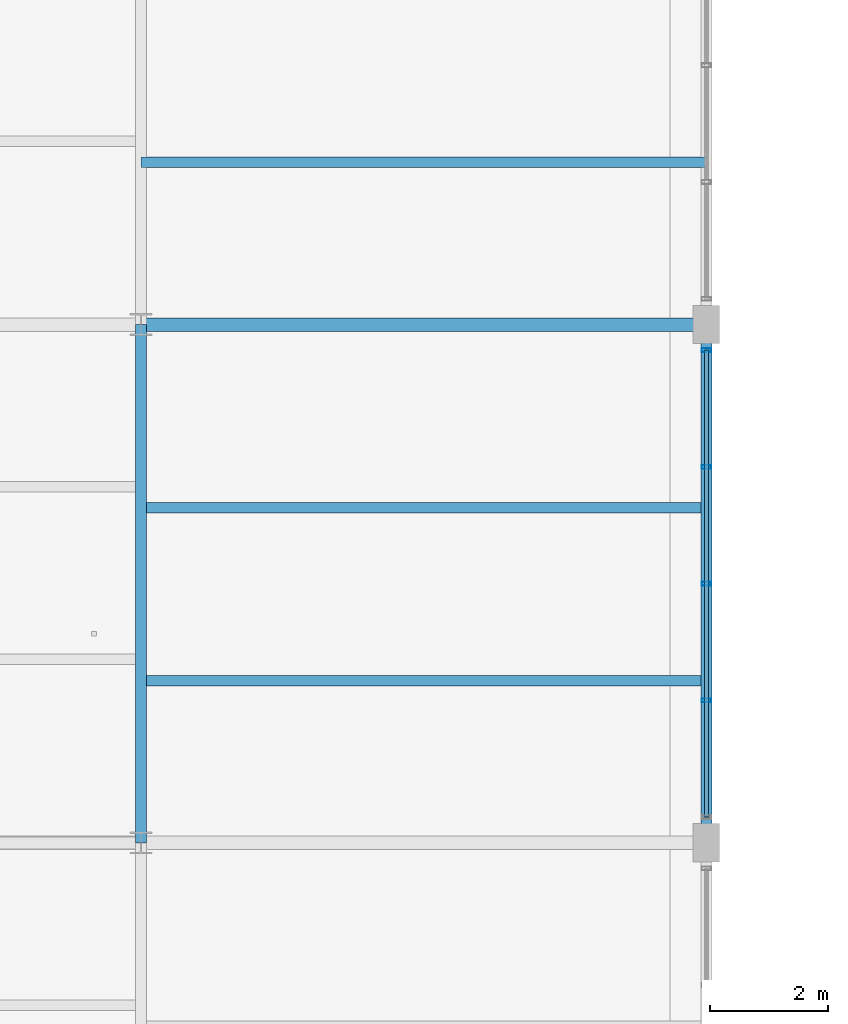
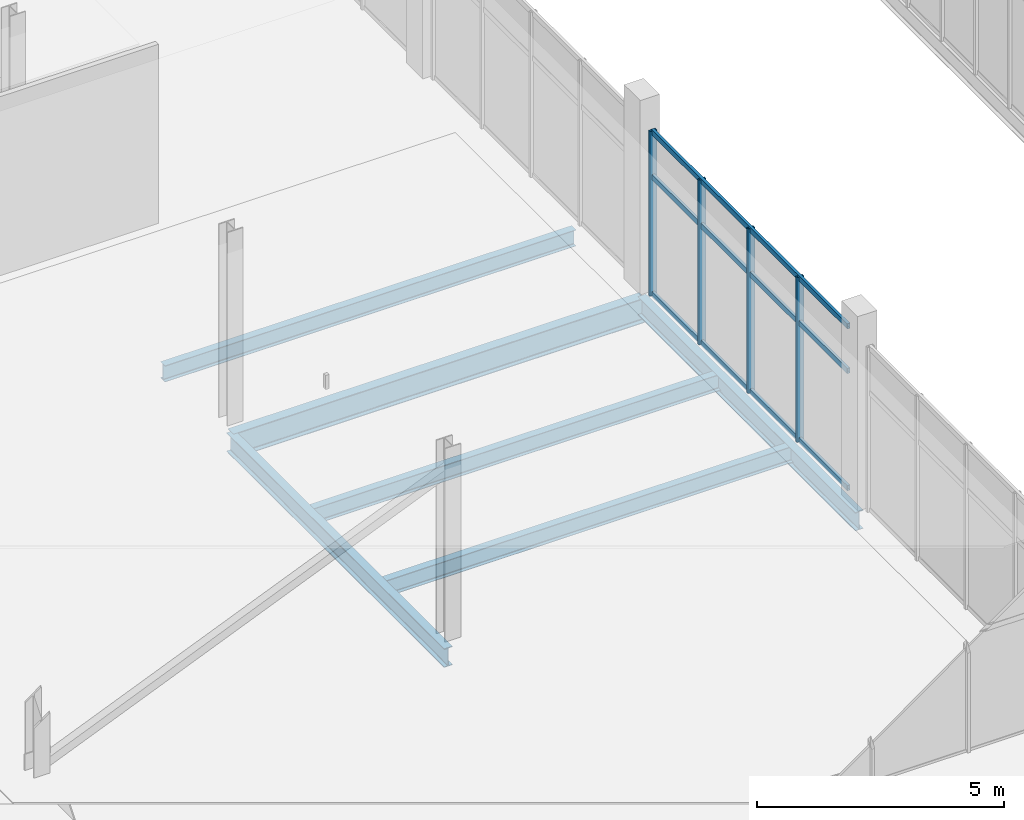
# One storey, part 29 of 157: 7 members, 6 beams, 1 element without a shape of its own.
"""IFC4 building model written with IfcOpenShell, lengths in metres."""

from ifc_helpers import new_model, si_unit, direction, frame, origin, origin_2d, place, context, subcontext, project, spatial, hollow_rectangle, i_section, extrude, material, layer, layer_set, material_profile, profile_set, type_object, element, aggregate, save


model = new_model("IFC4")

# Units and contexts
model_context = context("Model", 3, precision=1e-05, world=origin(), true_north=direction((0.0, 1.0)))
body_context = subcontext(model_context, "Body", "Model", "MODEL_VIEW")
ifc_project = project(units=[si_unit("LENGTHUNIT", "METRE"), si_unit("AREAUNIT", "SQUARE_METRE"), si_unit("VOLUMEUNIT", "CUBIC_METRE"), si_unit("PLANEANGLEUNIT", "RADIAN"), si_unit("MASSUNIT", "GRAM", prefix="KILO")], contexts=[model_context])

# Site, building, storey
site_placement = place(None, origin())
site = spatial("IfcSite", under=ifc_project, at=site_placement, CompositionType="ELEMENT")
building_placement = place(site_placement, origin())
building = spatial("IfcBuilding", under=site, at=building_placement, Name="Chalmorin Arch Market", CompositionType="ELEMENT")
storey_placement = place(building_placement, frame((0.0, 0.0, 4.800048828125)))
storey = spatial("IfcBuildingStorey", under=building, at=storey_placement, Name="L01", CompositionType="ELEMENT", Elevation=4.800048828125)

# Curtain wall, members
ifc_material_1 = material(Name="Aluminium 6063-T6", Category="aluminium")
ifc_layer = layer(ifc_material_1, 0.159912109375)
ifc_layer_set = layer_set([ifc_layer], Name="Aluminium 6063-T6")
curtain_wall_type = type_object("IfcCurtainWallType", Name="RiverfrontStorefrontCurtainWall-CW2-7930x4070", PredefinedType="NOTDEFINED", material=ifc_layer_set)
curtain_wall_placement = place(storey_placement, origin())
curtain_wall = element("IfcCurtainWall", 1, at=curtain_wall_placement, inside=storey, type_object=curtain_wall_type, Name="CW-02-099", PredefinedType="NOTDEFINED")
ifc_material_profile_1 = material_profile(ifc_material_1, hollow_rectangle(XDim=0.06494140625, YDim=0.159912109375, WallThickness=0.00390625, at=origin_2d()), Name="ALU65X160X4")
ifc_profile_set_1 = profile_set([ifc_material_profile_1], Name="Aluminium 6063-T6")
member_type_1 = type_object("IfcMemberType", Name="CurtainWallMullion-65x160", PredefinedType="MULLION", material=ifc_profile_set_1)
member_1_placement = place(storey_placement, frame((38.39990234375, 17.217529296875, 0.0), z_axis=(0.0, 0.0, 1.0), x_axis=(0.0, 1.0, 0.0)))
member_1 = element("IfcMember", 2, at=member_1_placement, type_object=member_type_1, Name="ML-099-02", PredefinedType="MULLION", context=body_context, shape_type="SweptSolid", body=[
    extrude(hollow_rectangle(XDim=0.06494140625, YDim=0.159912109375, WallThickness=0.00390625, at=origin_2d()), origin(), (0.0, 0.0, 1.0), 4.06591796875),
])
member_2_placement = place(storey_placement, frame((38.39990234375, 19.199951171875, 0.0), z_axis=(0.0, 0.0, 1.0), x_axis=(0.0, 1.0, 0.0)))
member_2 = element("IfcMember", 3, at=member_2_placement, type_object=member_type_1, Name="ML-099-03", PredefinedType="MULLION", context=body_context, shape_type="SweptSolid", body=[
    extrude(hollow_rectangle(XDim=0.06494140625, YDim=0.159912109375, WallThickness=0.00390625, at=origin_2d()), origin(), (0.0, 0.0, 1.0), 4.06591796875),
])
member_3_placement = place(storey_placement, frame((38.39990234375, 21.1826171875, 0.0), z_axis=(0.0, 0.0, 1.0), x_axis=(0.0, 1.0, 0.0)))
member_3 = element("IfcMember", 4, at=member_3_placement, type_object=member_type_1, Name="ML-099-04", PredefinedType="MULLION", context=body_context, shape_type="SweptSolid", body=[
    extrude(hollow_rectangle(XDim=0.06494140625, YDim=0.159912109375, WallThickness=0.00390625, at=origin_2d()), origin(), (0.0, 0.0, 1.0), 4.06591796875),
])
member_4_placement = place(storey_placement, frame((38.39990234375, 23.1650390625, 0.0), z_axis=(0.0, 0.0, 1.0), x_axis=(0.0, 1.0, 0.0)))
member_4 = element("IfcMember", 5, at=member_4_placement, type_object=member_type_1, Name="ML-099-05", PredefinedType="MULLION", context=body_context, shape_type="SweptSolid", body=[
    extrude(hollow_rectangle(XDim=0.06494140625, YDim=0.159912109375, WallThickness=0.00390625, at=origin_2d()), origin(), (0.0, 0.0, 1.0), 4.06591796875),
])
ifc_material_profile_2 = material_profile(ifc_material_1, hollow_rectangle(XDim=0.06494140625, YDim=0.1298828125, WallThickness=0.00390625, at=origin_2d()), Name="ALU65X130X4")
ifc_profile_set_2 = profile_set([ifc_material_profile_2], Name="Aluminium 6063-T6")
member_type_2 = type_object("IfcMemberType", Name="CurtainWallTransom-65x130", PredefinedType="USERDEFINED", material=ifc_profile_set_2)
member_5_placement = place(storey_placement, frame((38.39990234375, 15.235107421875, 0.034912109375), z_axis=(0.0, 1.0, 0.0), x_axis=(-1.0, 0.0, 0.0)))
member_5 = element("IfcMember", 6, at=member_5_placement, type_object=member_type_2, Name="TR-099-01", ObjectType="TRANSOM", PredefinedType="USERDEFINED", context=body_context, shape_type="SweptSolid", body=[
    extrude(hollow_rectangle(XDim=0.06494140625, YDim=0.1298828125, WallThickness=0.00390625, at=origin_2d()), origin(), (0.0, 0.0, 1.0), 7.929931640625),
])
member_6_placement = place(storey_placement, frame((38.39990234375, 15.235107421875, 2.927490234375), z_axis=(0.0, 1.0, 0.0), x_axis=(-1.0, 0.0, 0.0)))
member_6 = element("IfcMember", 7, at=member_6_placement, type_object=member_type_2, Name="TR-099-02", ObjectType="TRANSOM", PredefinedType="USERDEFINED", context=body_context, shape_type="SweptSolid", body=[
    extrude(hollow_rectangle(XDim=0.06494140625, YDim=0.1298828125, WallThickness=0.00390625, at=origin_2d()), origin(), (0.0, 0.0, 1.0), 7.929931640625),
])
member_7_placement = place(storey_placement, frame((38.39990234375, 15.235107421875, 4.031005859375), z_axis=(0.0, 1.0, 0.0), x_axis=(-1.0, 0.0, 0.0)))
member_7 = element("IfcMember", 8, at=member_7_placement, type_object=member_type_2, Name="TR-099-03", ObjectType="TRANSOM", PredefinedType="USERDEFINED", context=body_context, shape_type="SweptSolid", body=[
    extrude(hollow_rectangle(XDim=0.06494140625, YDim=0.1298828125, WallThickness=0.00390625, at=origin_2d()), origin(), (0.0, 0.0, 1.0), 7.929931640625),
])
aggregate(curtain_wall, [member_1, member_2, member_3, member_4, member_5, member_6, member_7])

# Beams
ifc_material_2 = material(Name="Steel A992 Grade 50", Category="steel")
ifc_material_profile_3 = material_profile(ifc_material_2, i_section(OverallWidth=0.193115234375, OverallDepth=0.466064453125, WebThickness=0.011474609375, FlangeThickness=0.01904296875, FilletRadius=0.02001953125, at=origin_2d()), Name="W18X65")
ifc_profile_set_3 = profile_set([ifc_material_profile_3], Name="Steel A992 Grade 50")
beam_type_1 = type_object("IfcBeamType", Name="FloorSteelBeam-W18X65", PredefinedType="BEAM", material=ifc_profile_set_3)
beam_1_placement = place(storey_placement, frame((28.800048828125, 14.800048828125, -0.51513671875), z_axis=(0.0, 1.0, 0.0), x_axis=(-1.0, 0.0, 0.0)))
element("IfcBeam", 9, at=beam_1_placement, inside=storey, type_object=beam_type_1, Name="BM-W18A-0827", PredefinedType="BEAM", context=body_context, shape_type="SweptSolid", body=[
    extrude(i_section(OverallWidth=0.193115234375, OverallDepth=0.466064453125, WebThickness=0.011474609375, FlangeThickness=0.01904296875, FilletRadius=0.02001953125, at=origin_2d()), origin(), (0.0, 0.0, 1.0), 8.800048828125),
])
ifc_material_profile_4 = material_profile(ifc_material_2, i_section(OverallWidth=0.19091796875, OverallDepth=0.45703125, WebThickness=0.009033203125, FlangeThickness=0.014404296875, FilletRadius=0.02001953125, at=origin_2d()), Name="W18X50")
ifc_profile_set_4 = profile_set([ifc_material_profile_4], Name="Steel A992 Grade 50")
beam_type_2 = type_object("IfcBeamType", Name="PerimeterSpandrelBeam-W18X50", PredefinedType="SPANDREL", material=ifc_profile_set_4)
beam_2_placement = place(storey_placement, frame((38.39990234375, 14.800048828125, -0.510498046875), z_axis=(0.0, 1.0, 0.0), x_axis=(-1.0, 0.0, 0.0)))
element("IfcBeam", 10, at=beam_2_placement, inside=storey, type_object=beam_type_2, Name="SP-W18-0838", PredefinedType="SPANDREL", context=body_context, shape_type="SweptSolid", body=[
    extrude(i_section(OverallWidth=0.19091796875, OverallDepth=0.45703125, WebThickness=0.009033203125, FlangeThickness=0.014404296875, FilletRadius=0.02001953125, at=origin_2d()), origin(), (0.0, 0.0, 1.0), 8.800048828125),
])
ifc_material_profile_5 = material_profile(ifc_material_2, i_section(OverallWidth=0.22802734375, OverallDepth=0.60791015625, WebThickness=0.01123046875, FlangeThickness=0.017333984375, FilletRadius=0.02392578125, at=origin_2d()), Name="W24X76")
ifc_profile_set_5 = profile_set([ifc_material_profile_5], Name="Steel A992 Grade 50")
beam_type_3 = type_object("IfcBeamType", Name="PrimarySteelGirder-W24X76", PredefinedType="BEAM", material=ifc_profile_set_5)
beam_3_placement = place(storey_placement, frame((28.800048828125, 23.60009765625, -0.5859375), z_axis=(1.0, 0.0, 0.0), x_axis=(0.0, 1.0, 0.0)))
element("IfcBeam", 11, at=beam_3_placement, inside=storey, type_object=beam_type_3, Name="BG-W24B-0837", PredefinedType="BEAM", context=body_context, shape_type="SweptSolid", body=[
    extrude(i_section(OverallWidth=0.22802734375, OverallDepth=0.60791015625, WebThickness=0.01123046875, FlangeThickness=0.017333984375, FilletRadius=0.02392578125, at=origin_2d()), origin(), (0.0, 0.0, 1.0), 9.599853515625),
])
ifc_material_profile_6 = material_profile(ifc_material_2, i_section(OverallWidth=0.177978515625, OverallDepth=0.403076171875, WebThickness=0.007568359375, FlangeThickness=0.010986328125, FilletRadius=0.01806640625, at=origin_2d()), Name="W16X36")
ifc_profile_set_6 = profile_set([ifc_material_profile_6], Name="Steel A992 Grade 50")
beam_type_4 = type_object("IfcBeamType", Name="SecondaryFloorJoist-W16X36", PredefinedType="JOIST", material=ifc_profile_set_6)
for number, where, z_axis, x_axis, name in (
    (12, (28.800048828125, 17.55322265625, -0.483642578125), (1.0, 0.0, 0.0), (0.0, 1.0, 0.0), "BJ-W16B-0872"),
    (13, (28.800048828125, 20.48681640625, -0.483642578125), (1.0, 0.0, 0.0), (0.0, 1.0, 0.0), "BJ-W16B-0873"),
    (14, (28.800048828125, 26.353271484375, -0.483642578125), (1.0, 0.0, 0.0), (0.0, 1.0, 0.0), "BJ-W16B-0874"),
):
    element("IfcBeam", number, at=place(storey_placement, frame(where, z_axis=z_axis, x_axis=x_axis)), inside=storey, type_object=beam_type_4, Name=name, PredefinedType="JOIST", context=body_context, shape_type="SweptSolid", body=[
        extrude(i_section(OverallWidth=0.177978515625, OverallDepth=0.403076171875, WebThickness=0.007568359375, FlangeThickness=0.010986328125, FilletRadius=0.01806640625, at=origin_2d()), origin(), (0.0, 0.0, 1.0), 9.599853515625),
    ])

save(model, "model.ifc")
